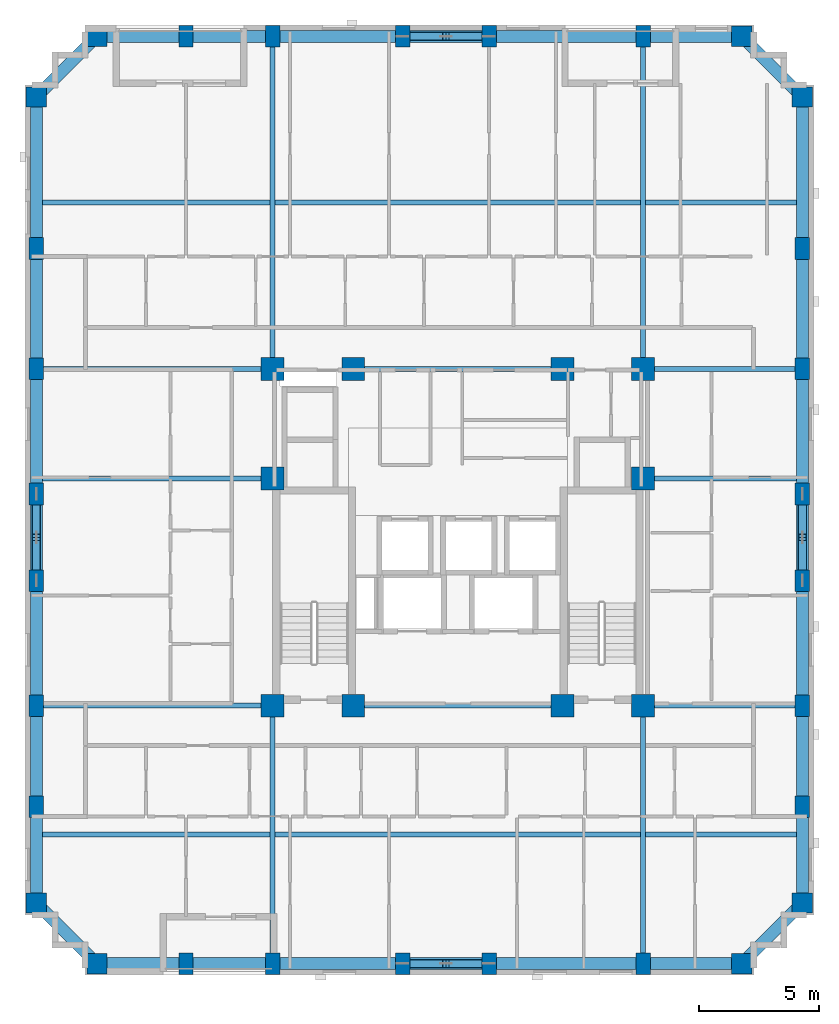
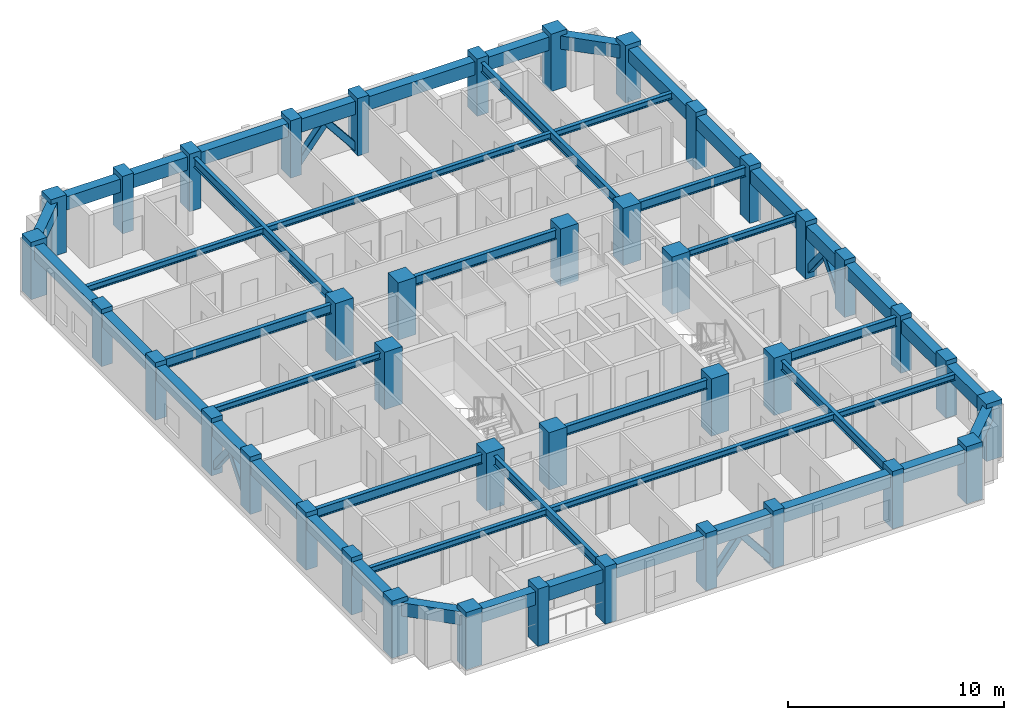
# One storey, part 1 of 11: 48 beams, 40 columns, 8 members.
"""IFC4 building model written with IfcOpenShell, lengths in metres."""

from ifc_helpers import new_model, si_unit, derived_unit, direction, frame, origin, origin_2d, place, context, subcontext, project, spatial, rectangle, hollow_rectangle, i_section, extrude, material, material_profile, profile_set, type_object, element, save


model = new_model("IFC4")

# Units and contexts
model_context = context("Model", 3, precision=1e-05, world=origin(), true_north=direction((0.0, 1.0)))
body_context = subcontext(model_context, "Body", "Model", "MODEL_VIEW")
ifc_project = project(units=[si_unit("LENGTHUNIT", "METRE"), si_unit("AREAUNIT", "SQUARE_METRE"), si_unit("VOLUMEUNIT", "CUBIC_METRE"), si_unit("PLANEANGLEUNIT", "RADIAN"), si_unit("MASSUNIT", "GRAM", prefix="KILO"), derived_unit("THERMALTRANSMITTANCEUNIT", [(si_unit("MASSUNIT", "GRAM", prefix="KILO"), 1), (si_unit("TIMEUNIT", "SECOND"), -3), (si_unit("THERMODYNAMICTEMPERATUREUNIT", "KELVIN"), -1)])], contexts=[model_context])

# Site, building, storey
site_placement = place(None, origin())
site = spatial("IfcSite", under=ifc_project, at=site_placement, CompositionType="ELEMENT")
building_placement = place(site_placement, origin())
building = spatial("IfcBuilding", under=site, at=building_placement, Name="Korrvale Station Residences", CompositionType="ELEMENT")
storey_placement = place(building_placement, frame((0.0, 0.0, 153.64990234375)))
storey = spatial("IfcBuildingStorey", under=building, at=storey_placement, Name="L44", CompositionType="ELEMENT", Elevation=153.64990234375)

# Columns
ifc_material_1 = material(Name="Concrete C60/75", Category="concrete")
ifc_material_profile_1 = material_profile(ifc_material_1, rectangle(XDim=0.60009765625, YDim=0.89990234375, at=origin_2d()), Name="RC600x900")
ifc_profile_set_1 = profile_set([ifc_material_profile_1], Name="Concrete C60/75")
column_type_1 = type_object("IfcColumnType", Name="COL-C-RC600x900-C6075", PredefinedType="COLUMN", material=ifc_profile_set_1)
for number, where, z_axis, x_axis, name in (
    (1, (14.199951171875, 4.280029296875, 0.0), (0.0, 0.0, 1.0), (1.0, 0.0, 0.0), "L44 Bundled-Tube South Column 02"),
    (2, (17.800048828125, 4.280029296875, 0.0), (0.0, 0.0, 1.0), (1.0, 0.0, 0.0), "L44 Bundled-Tube South Column 03"),
    (3, (23.199951171875, 4.280029296875, 0.0), (0.0, 0.0, 1.0), (1.0, 0.0, 0.0), "L44 Bundled-Tube South Column 04"),
    (4, (26.800048828125, 4.280029296875, 0.0), (0.0, 0.0, 1.0), (1.0, 0.0, 0.0), "L44 Bundled-Tube South Column 05"),
    (5, (33.199951171875, 4.280029296875, 0.0), (0.0, 0.0, 1.0), (1.0, 0.0, 0.0), "L44 Bundled-Tube South Column 06"),
    (6, (14.199951171875, 42.820068359375, 0.0), (0.0, 0.0, 1.0), (1.0, 0.0, 0.0), "L44 Bundled-Tube North Column 09"),
    (7, (17.800048828125, 42.820068359375, 0.0), (0.0, 0.0, 1.0), (1.0, 0.0, 0.0), "L44 Bundled-Tube North Column 10"),
    (8, (23.199951171875, 42.820068359375, 0.0), (0.0, 0.0, 1.0), (1.0, 0.0, 0.0), "L44 Bundled-Tube North Column 11"),
    (9, (26.800048828125, 42.820068359375, 0.0), (0.0, 0.0, 1.0), (1.0, 0.0, 0.0), "L44 Bundled-Tube North Column 12"),
    (10, (33.199951171875, 42.820068359375, 0.0), (0.0, 0.0, 1.0), (1.0, 0.0, 0.0), "L44 Bundled-Tube North Column 13"),
    (11, (7.97998046875, 10.800048828125, 0.0), (0.0, 0.0, 1.0), (1.0, 0.0, 0.0), "L44 Bundled-Tube West Column 16"),
    (12, (7.97998046875, 15.0, 0.0), (0.0, 0.0, 1.0), (1.0, 0.0, 0.0), "L44 Bundled-Tube West Column 17"),
    (13, (7.97998046875, 20.199951171875, 0.0), (0.0, 0.0, 1.0), (1.0, 0.0, 0.0), "L44 Bundled-Tube West Column 18"),
    (14, (7.97998046875, 23.800048828125, 0.0), (0.0, 0.0, 1.0), (1.0, 0.0, 0.0), "L44 Bundled-Tube West Column 19"),
    (15, (7.97998046875, 29.0, 0.0), (0.0, 0.0, 1.0), (1.0, 0.0, 0.0), "L44 Bundled-Tube West Column 20"),
    (16, (7.97998046875, 34.0, 0.0), (0.0, 0.0, 1.0), (1.0, 0.0, 0.0), "L44 Bundled-Tube West Column 21"),
    (17, (39.820068359375, 10.800048828125, 0.0), (0.0, 0.0, 1.0), (1.0, 0.0, 0.0), "L44 Bundled-Tube East Column 24"),
    (18, (39.820068359375, 15.0, 0.0), (0.0, 0.0, 1.0), (1.0, 0.0, 0.0), "L44 Bundled-Tube East Column 25"),
    (19, (39.820068359375, 20.199951171875, 0.0), (0.0, 0.0, 1.0), (1.0, 0.0, 0.0), "L44 Bundled-Tube East Column 26"),
    (20, (39.820068359375, 23.800048828125, 0.0), (0.0, 0.0, 1.0), (1.0, 0.0, 0.0), "L44 Bundled-Tube East Column 27"),
    (21, (39.820068359375, 29.0, 0.0), (0.0, 0.0, 1.0), (1.0, 0.0, 0.0), "L44 Bundled-Tube East Column 28"),
    (22, (39.820068359375, 34.0, 0.0), (0.0, 0.0, 1.0), (1.0, 0.0, 0.0), "L44 Bundled-Tube East Column 29"),
):
    element("IfcColumn", number, at=place(storey_placement, frame(where, z_axis=z_axis, x_axis=x_axis)), inside=storey, type_object=column_type_1, Name=name, PredefinedType="COLUMN", context=body_context, shape_type="SweptSolid", body=[
        extrude(rectangle(XDim=0.60009765625, YDim=0.89990234375, at=origin_2d()), origin(), (0.0, 0.0, 1.0), 3.25),
    ])
ifc_material_profile_2 = material_profile(ifc_material_1, rectangle(XDim=0.85009765625, YDim=0.85009765625, at=origin_2d()), Name="RC850x850")
ifc_profile_set_2 = profile_set([ifc_material_profile_2], Name="Concrete C60/75")
column_type_2 = type_object("IfcColumnType", Name="COL-C-RC850x850-C6075", PredefinedType="COLUMN", material=ifc_profile_set_2)
for number, where, z_axis, x_axis, name in (
    (23, (10.5, 4.280029296875, 0.0), (0.0, 0.0, 1.0), (1.0, 0.0, 0.0), "L44 Bundled-Tube South Column 01"),
    (24, (37.300048828125, 4.280029296875, 0.0), (0.0, 0.0, 1.0), (1.0, 0.0, 0.0), "L44 Bundled-Tube South Column 07"),
    (25, (10.5, 42.820068359375, 0.0), (0.0, 0.0, 1.0), (1.0, 0.0, 0.0), "L44 Bundled-Tube North Column 08"),
    (26, (37.300048828125, 42.820068359375, 0.0), (0.0, 0.0, 1.0), (1.0, 0.0, 0.0), "L44 Bundled-Tube North Column 14"),
    (27, (7.97998046875, 6.800048828125, 0.0), (0.0, 0.0, 1.0), (1.0, 0.0, 0.0), "L44 Bundled-Tube West Column 15"),
    (28, (7.97998046875, 40.300048828125, 0.0), (0.0, 0.0, 1.0), (1.0, 0.0, 0.0), "L44 Bundled-Tube West Column 22"),
    (29, (39.820068359375, 6.800048828125, 0.0), (0.0, 0.0, 1.0), (1.0, 0.0, 0.0), "L44 Bundled-Tube East Column 23"),
    (30, (39.820068359375, 40.300048828125, 0.0), (0.0, 0.0, 1.0), (1.0, 0.0, 0.0), "L44 Bundled-Tube East Column 30"),
):
    element("IfcColumn", number, at=place(storey_placement, frame(where, z_axis=z_axis, x_axis=x_axis)), inside=storey, type_object=column_type_2, Name=name, PredefinedType="COLUMN", context=body_context, shape_type="SweptSolid", body=[
        extrude(rectangle(XDim=0.85009765625, YDim=0.85009765625, at=origin_2d()), origin(), (0.0, 0.0, 1.0), 3.25),
    ])
ifc_material_profile_3 = material_profile(ifc_material_1, rectangle(XDim=0.949951171875, YDim=0.949951171875, at=origin_2d()), Name="RC950x950")
ifc_profile_set_3 = profile_set([ifc_material_profile_3], Name="Concrete C60/75")
column_type_3 = type_object("IfcColumnType", Name="COL-C-RC950x950-C6075", PredefinedType="COLUMN", material=ifc_profile_set_3)
for number, where, z_axis, x_axis, name in (
    (31, (17.800048828125, 15.0, 0.0), (0.0, 0.0, 1.0), (1.0, 0.0, 0.0), "L44 Core Column 01"),
    (32, (21.14990234375, 15.0, 0.0), (0.0, 0.0, 1.0), (1.0, 0.0, 0.0), "L44 Core Column 02"),
    (33, (29.85009765625, 15.0, 0.0), (0.0, 0.0, 1.0), (1.0, 0.0, 0.0), "L44 Core Column 03"),
    (34, (33.199951171875, 15.0, 0.0), (0.0, 0.0, 1.0), (1.0, 0.0, 0.0), "L44 Core Column 04"),
    (35, (17.800048828125, 29.0, 0.0), (0.0, 0.0, 1.0), (1.0, 0.0, 0.0), "L44 Core Column 05"),
    (36, (21.14990234375, 29.0, 0.0), (0.0, 0.0, 1.0), (1.0, 0.0, 0.0), "L44 Core Column 06"),
    (37, (29.85009765625, 29.0, 0.0), (0.0, 0.0, 1.0), (1.0, 0.0, 0.0), "L44 Core Column 07"),
    (38, (33.199951171875, 29.0, 0.0), (0.0, 0.0, 1.0), (1.0, 0.0, 0.0), "L44 Core Column 08"),
    (39, (17.800048828125, 24.449951171875, 0.0), (0.0, 0.0, 1.0), (1.0, 0.0, 0.0), "L44 Core Column 09"),
    (40, (33.199951171875, 24.449951171875, 0.0), (0.0, 0.0, 1.0), (1.0, 0.0, 0.0), "L44 Core Column 10"),
):
    element("IfcColumn", number, at=place(storey_placement, frame(where, z_axis=z_axis, x_axis=x_axis)), inside=storey, type_object=column_type_3, Name=name, PredefinedType="COLUMN", context=body_context, shape_type="SweptSolid", body=[
        extrude(rectangle(XDim=0.949951171875, YDim=0.949951171875, at=origin_2d()), origin(), (0.0, 0.0, 1.0), 3.25),
    ])

# Beams
ifc_material_2 = material(Name="Steel S355", Category="steel")
ifc_material_profile_4 = material_profile(ifc_material_2, i_section(OverallWidth=0.208984375, OverallDepth=0.532958984375, WebThickness=0.01025390625, FlangeThickness=0.015625, FilletRadius=0.01806640625, at=origin_2d()), Name="W530x92")
ifc_profile_set_4 = profile_set([ifc_material_profile_4], Name="Steel S355")
beam_type_1 = type_object("IfcBeamType", Name="BM-BM-W530x92-S355", PredefinedType="BEAM", material=ifc_profile_set_4)
for number, where, z_axis, x_axis, name in (
    (41, (17.800048828125, 4.280029296875, 2.7236328125), (0.0, 1.0, 0.0), (-1.0, 0.0, 0.0), "L44 Bundled-Tube Web Girder 01"),
    (42, (33.199951171875, 4.280029296875, 2.7236328125), (0.0, 1.0, 0.0), (-1.0, 0.0, 0.0), "L44 Bundled-Tube Web Girder 02"),
):
    element("IfcBeam", number, at=place(storey_placement, frame(where, z_axis=z_axis, x_axis=x_axis)), inside=storey, type_object=beam_type_1, Name=name, PredefinedType="BEAM", context=body_context, shape_type="SweptSolid", body=[
        extrude(i_section(OverallWidth=0.208984375, OverallDepth=0.532958984375, WebThickness=0.01025390625, FlangeThickness=0.015625, FilletRadius=0.01806640625, at=origin_2d()), origin(), (0.0, 0.0, 1.0), 10.719970703125),
    ])
for number, where, z_axis, x_axis, name in (
    (43, (17.800048828125, 29.0, 2.7236328125), (0.0, 1.0, 0.0), (-1.0, 0.0, 0.0), "L44 Bundled-Tube Web Girder 03"),
    (44, (33.199951171875, 29.0, 2.7236328125), (0.0, 1.0, 0.0), (-1.0, 0.0, 0.0), "L44 Bundled-Tube Web Girder 04"),
):
    element("IfcBeam", number, at=place(storey_placement, frame(where, z_axis=z_axis, x_axis=x_axis)), inside=storey, type_object=beam_type_1, Name=name, PredefinedType="BEAM", context=body_context, shape_type="SweptSolid", body=[
        extrude(i_section(OverallWidth=0.208984375, OverallDepth=0.532958984375, WebThickness=0.01025390625, FlangeThickness=0.015625, FilletRadius=0.01806640625, at=origin_2d()), origin(), (0.0, 0.0, 1.0), 13.820068359375),
    ])
beam_1_placement = place(storey_placement, frame((7.97998046875, 15.0, 2.7236328125), z_axis=(1.0, 0.0, 0.0), x_axis=(0.0, 1.0, 0.0)))
element("IfcBeam", 45, at=beam_1_placement, inside=storey, type_object=beam_type_1, Name="L44 Bundled-Tube Web Girder 05", PredefinedType="BEAM", context=body_context, shape_type="SweptSolid", body=[
    extrude(i_section(OverallWidth=0.208984375, OverallDepth=0.532958984375, WebThickness=0.01025390625, FlangeThickness=0.015625, FilletRadius=0.01806640625, at=origin_2d()), origin(), (0.0, 0.0, 1.0), 9.820068359375),
])
beam_2_placement = place(storey_placement, frame((33.199951171875, 15.0, 2.7236328125), z_axis=(1.0, 0.0, 0.0), x_axis=(0.0, 1.0, 0.0)))
element("IfcBeam", 46, at=beam_2_placement, inside=storey, type_object=beam_type_1, Name="L44 Bundled-Tube Web Girder 06", PredefinedType="BEAM", context=body_context, shape_type="SweptSolid", body=[
    extrude(i_section(OverallWidth=0.208984375, OverallDepth=0.532958984375, WebThickness=0.01025390625, FlangeThickness=0.015625, FilletRadius=0.01806640625, at=origin_2d()), origin(), (0.0, 0.0, 1.0), 6.6201171875),
])
beam_3_placement = place(storey_placement, frame((7.97998046875, 29.0, 2.7236328125), z_axis=(1.0, 0.0, 0.0), x_axis=(0.0, 1.0, 0.0)))
element("IfcBeam", 47, at=beam_3_placement, inside=storey, type_object=beam_type_1, Name="L44 Bundled-Tube Web Girder 07", PredefinedType="BEAM", context=body_context, shape_type="SweptSolid", body=[
    extrude(i_section(OverallWidth=0.208984375, OverallDepth=0.532958984375, WebThickness=0.01025390625, FlangeThickness=0.015625, FilletRadius=0.01806640625, at=origin_2d()), origin(), (0.0, 0.0, 1.0), 9.820068359375),
])
beam_4_placement = place(storey_placement, frame((33.199951171875, 29.0, 2.7236328125), z_axis=(1.0, 0.0, 0.0), x_axis=(0.0, 1.0, 0.0)))
element("IfcBeam", 48, at=beam_4_placement, inside=storey, type_object=beam_type_1, Name="L44 Bundled-Tube Web Girder 08", PredefinedType="BEAM", context=body_context, shape_type="SweptSolid", body=[
    extrude(i_section(OverallWidth=0.208984375, OverallDepth=0.532958984375, WebThickness=0.01025390625, FlangeThickness=0.015625, FilletRadius=0.01806640625, at=origin_2d()), origin(), (0.0, 0.0, 1.0), 6.6201171875),
])
for number, where, z_axis, x_axis, name in (
    (49, (21.14990234375, 15.0, 2.7236328125), (1.0, 0.0, 0.0), (0.0, 1.0, 0.0), "L44 Bundled-Tube Web Girder 09"),
    (50, (21.14990234375, 29.0, 2.7236328125), (1.0, 0.0, 0.0), (0.0, 1.0, 0.0), "L44 Bundled-Tube Web Girder 10"),
):
    element("IfcBeam", number, at=place(storey_placement, frame(where, z_axis=z_axis, x_axis=x_axis)), inside=storey, type_object=beam_type_1, Name=name, PredefinedType="BEAM", context=body_context, shape_type="SweptSolid", body=[
        extrude(i_section(OverallWidth=0.208984375, OverallDepth=0.532958984375, WebThickness=0.01025390625, FlangeThickness=0.015625, FilletRadius=0.01806640625, at=origin_2d()), origin(), (0.0, 0.0, 1.0), 8.7001953125),
    ])
ifc_material_profile_5 = material_profile(ifc_material_2, i_section(OverallWidth=0.205078125, OverallDepth=0.35400390625, WebThickness=0.009521484375, FlangeThickness=0.016845703125, FilletRadius=0.014892578125, at=origin_2d()), Name="W360x79")
ifc_profile_set_5 = profile_set([ifc_material_profile_5], Name="Steel S355")
beam_type_2 = type_object("IfcBeamType", Name="BM-JST-W360x79-S355", PredefinedType="JOIST", material=ifc_profile_set_5)
beam_5_placement = place(storey_placement, frame((8.22998046875, 9.639892578125, 2.81298828125), z_axis=(1.0, 0.0, 0.0), x_axis=(0.0, 1.0, 0.0)))
element("IfcBeam", 51, at=beam_5_placement, inside=storey, type_object=beam_type_2, Name="L44 Floor Framing Joist 01", PredefinedType="JOIST", context=body_context, shape_type="SweptSolid", body=[
    extrude(i_section(OverallWidth=0.205078125, OverallDepth=0.35400390625, WebThickness=0.009521484375, FlangeThickness=0.016845703125, FilletRadius=0.014892578125, at=origin_2d()), origin(), (0.0, 0.0, 1.0), 9.465576171875),
])
beam_6_placement = place(storey_placement, frame((17.904541015625, 9.639892578125, 2.81298828125), z_axis=(1.0, 0.0, 0.0), x_axis=(0.0, 1.0, 0.0)))
element("IfcBeam", 52, at=beam_6_placement, inside=storey, type_object=beam_type_2, Name="L44 Floor Framing Joist 02", PredefinedType="JOIST", context=body_context, shape_type="SweptSolid", body=[
    extrude(i_section(OverallWidth=0.205078125, OverallDepth=0.35400390625, WebThickness=0.009521484375, FlangeThickness=0.016845703125, FilletRadius=0.014892578125, at=origin_2d()), origin(), (0.0, 0.0, 1.0), 15.19091796875),
])
beam_7_placement = place(storey_placement, frame((33.304443359375, 9.639892578125, 2.81298828125), z_axis=(1.0, 0.0, 0.0), x_axis=(0.0, 1.0, 0.0)))
element("IfcBeam", 53, at=beam_7_placement, inside=storey, type_object=beam_type_2, Name="L44 Floor Framing Joist 03", PredefinedType="JOIST", context=body_context, shape_type="SweptSolid", body=[
    extrude(i_section(OverallWidth=0.205078125, OverallDepth=0.35400390625, WebThickness=0.009521484375, FlangeThickness=0.016845703125, FilletRadius=0.014892578125, at=origin_2d()), origin(), (0.0, 0.0, 1.0), 6.265625),
])
beam_8_placement = place(storey_placement, frame((8.22998046875, 35.909912109375, 2.81298828125), z_axis=(1.0, 0.0, 0.0), x_axis=(0.0, 1.0, 0.0)))
element("IfcBeam", 54, at=beam_8_placement, inside=storey, type_object=beam_type_2, Name="L44 Floor Framing Joist 04", PredefinedType="JOIST", context=body_context, shape_type="SweptSolid", body=[
    extrude(i_section(OverallWidth=0.205078125, OverallDepth=0.35400390625, WebThickness=0.009521484375, FlangeThickness=0.016845703125, FilletRadius=0.014892578125, at=origin_2d()), origin(), (0.0, 0.0, 1.0), 9.465576171875),
])
beam_9_placement = place(storey_placement, frame((17.904541015625, 35.909912109375, 2.81298828125), z_axis=(1.0, 0.0, 0.0), x_axis=(0.0, 1.0, 0.0)))
element("IfcBeam", 55, at=beam_9_placement, inside=storey, type_object=beam_type_2, Name="L44 Floor Framing Joist 05", PredefinedType="JOIST", context=body_context, shape_type="SweptSolid", body=[
    extrude(i_section(OverallWidth=0.205078125, OverallDepth=0.35400390625, WebThickness=0.009521484375, FlangeThickness=0.016845703125, FilletRadius=0.014892578125, at=origin_2d()), origin(), (0.0, 0.0, 1.0), 15.19091796875),
])
beam_10_placement = place(storey_placement, frame((33.304443359375, 35.909912109375, 2.81298828125), z_axis=(1.0, 0.0, 0.0), x_axis=(0.0, 1.0, 0.0)))
element("IfcBeam", 56, at=beam_10_placement, inside=storey, type_object=beam_type_2, Name="L44 Floor Framing Joist 06", PredefinedType="JOIST", context=body_context, shape_type="SweptSolid", body=[
    extrude(i_section(OverallWidth=0.205078125, OverallDepth=0.35400390625, WebThickness=0.009521484375, FlangeThickness=0.016845703125, FilletRadius=0.014892578125, at=origin_2d()), origin(), (0.0, 0.0, 1.0), 6.265625),
])
beam_11_placement = place(storey_placement, frame((33.199951171875, 24.449951171875, 2.81298828125), z_axis=(1.0, 0.0, 0.0), x_axis=(0.0, 1.0, 0.0)))
element("IfcBeam", 57, at=beam_11_placement, inside=storey, type_object=beam_type_2, Name="L44 Floor Framing Joist 07", PredefinedType="JOIST", context=body_context, shape_type="SweptSolid", body=[
    extrude(i_section(OverallWidth=0.205078125, OverallDepth=0.35400390625, WebThickness=0.009521484375, FlangeThickness=0.016845703125, FilletRadius=0.014892578125, at=origin_2d()), origin(), (0.0, 0.0, 1.0), 6.3701171875),
])
beam_12_placement = place(storey_placement, frame((8.22998046875, 24.449951171875, 2.81298828125), z_axis=(1.0, 0.0, 0.0), x_axis=(0.0, 1.0, 0.0)))
element("IfcBeam", 58, at=beam_12_placement, inside=storey, type_object=beam_type_2, Name="L44 Floor Framing Joist 08", PredefinedType="JOIST", context=body_context, shape_type="SweptSolid", body=[
    extrude(i_section(OverallWidth=0.205078125, OverallDepth=0.35400390625, WebThickness=0.009521484375, FlangeThickness=0.016845703125, FilletRadius=0.014892578125, at=origin_2d()), origin(), (0.0, 0.0, 1.0), 9.570068359375),
])
ifc_material_profile_6 = material_profile(ifc_material_1, rectangle(XDim=0.5, YDim=0.75, at=origin_2d()), Name="RCB500x750")
ifc_profile_set_6 = profile_set([ifc_material_profile_6], Name="Concrete C60/75")
beam_type_3 = type_object("IfcBeamType", Name="BM-SPB-RCB500x750-C6075", PredefinedType="SPANDREL", material=ifc_profile_set_6)
beam_13_placement = place(storey_placement, frame((10.5, 4.280029296875, 2.614990234375), z_axis=(1.0, 0.0, 0.0), x_axis=(0.0, 1.0, 0.0)))
element("IfcBeam", 59, at=beam_13_placement, inside=storey, type_object=beam_type_3, Name="L44 South Tube Spandrel 01", PredefinedType="SPANDREL", context=body_context, shape_type="SweptSolid", body=[
    extrude(rectangle(XDim=0.5, YDim=0.75, at=origin_2d()), origin(), (0.0, 0.0, 1.0), 3.699951171875),
])
beam_14_placement = place(storey_placement, frame((14.199951171875, 4.280029296875, 2.614990234375), z_axis=(1.0, 0.0, 0.0), x_axis=(0.0, 1.0, 0.0)))
element("IfcBeam", 60, at=beam_14_placement, inside=storey, type_object=beam_type_3, Name="L44 South Tube Spandrel 02", PredefinedType="SPANDREL", context=body_context, shape_type="SweptSolid", body=[
    extrude(rectangle(XDim=0.5, YDim=0.75, at=origin_2d()), origin(), (0.0, 0.0, 1.0), 3.60009765625),
])
beam_15_placement = place(storey_placement, frame((17.800048828125, 4.280029296875, 2.614990234375), z_axis=(1.0, 0.0, 0.0), x_axis=(0.0, 1.0, 0.0)))
element("IfcBeam", 61, at=beam_15_placement, inside=storey, type_object=beam_type_3, Name="L44 South Tube Spandrel 03", PredefinedType="SPANDREL", context=body_context, shape_type="SweptSolid", body=[
    extrude(rectangle(XDim=0.5, YDim=0.75, at=origin_2d()), origin(), (0.0, 0.0, 1.0), 5.39990234375),
])
beam_16_placement = place(storey_placement, frame((23.199951171875, 4.280029296875, 2.614990234375), z_axis=(1.0, 0.0, 0.0), x_axis=(0.0, 1.0, 0.0)))
element("IfcBeam", 62, at=beam_16_placement, inside=storey, type_object=beam_type_3, Name="L44 South Tube Spandrel 04", PredefinedType="SPANDREL", context=body_context, shape_type="SweptSolid", body=[
    extrude(rectangle(XDim=0.5, YDim=0.75, at=origin_2d()), origin(), (0.0, 0.0, 1.0), 3.60009765625),
])
beam_17_placement = place(storey_placement, frame((26.800048828125, 4.280029296875, 2.614990234375), z_axis=(1.0, 0.0, 0.0), x_axis=(0.0, 1.0, 0.0)))
element("IfcBeam", 63, at=beam_17_placement, inside=storey, type_object=beam_type_3, Name="L44 South Tube Spandrel 05", PredefinedType="SPANDREL", context=body_context, shape_type="SweptSolid", body=[
    extrude(rectangle(XDim=0.5, YDim=0.75, at=origin_2d()), origin(), (0.0, 0.0, 1.0), 6.39990234375),
])
beam_18_placement = place(storey_placement, frame((33.199951171875, 4.280029296875, 2.614990234375), z_axis=(1.0, 0.0, 0.0), x_axis=(0.0, 1.0, 0.0)))
element("IfcBeam", 64, at=beam_18_placement, inside=storey, type_object=beam_type_3, Name="L44 South Tube Spandrel 06", PredefinedType="SPANDREL", context=body_context, shape_type="SweptSolid", body=[
    extrude(rectangle(XDim=0.5, YDim=0.75, at=origin_2d()), origin(), (0.0, 0.0, 1.0), 4.10009765625),
])
beam_19_placement = place(storey_placement, frame((10.5, 42.820068359375, 2.614990234375), z_axis=(1.0, 0.0, 0.0), x_axis=(0.0, 1.0, 0.0)))
element("IfcBeam", 65, at=beam_19_placement, inside=storey, type_object=beam_type_3, Name="L44 North Tube Spandrel 07", PredefinedType="SPANDREL", context=body_context, shape_type="SweptSolid", body=[
    extrude(rectangle(XDim=0.5, YDim=0.75, at=origin_2d()), origin(), (0.0, 0.0, 1.0), 3.699951171875),
])
beam_20_placement = place(storey_placement, frame((14.199951171875, 42.820068359375, 2.614990234375), z_axis=(1.0, 0.0, 0.0), x_axis=(0.0, 1.0, 0.0)))
element("IfcBeam", 66, at=beam_20_placement, inside=storey, type_object=beam_type_3, Name="L44 North Tube Spandrel 08", PredefinedType="SPANDREL", context=body_context, shape_type="SweptSolid", body=[
    extrude(rectangle(XDim=0.5, YDim=0.75, at=origin_2d()), origin(), (0.0, 0.0, 1.0), 3.60009765625),
])
beam_21_placement = place(storey_placement, frame((17.800048828125, 42.820068359375, 2.614990234375), z_axis=(1.0, 0.0, 0.0), x_axis=(0.0, 1.0, 0.0)))
element("IfcBeam", 67, at=beam_21_placement, inside=storey, type_object=beam_type_3, Name="L44 North Tube Spandrel 09", PredefinedType="SPANDREL", context=body_context, shape_type="SweptSolid", body=[
    extrude(rectangle(XDim=0.5, YDim=0.75, at=origin_2d()), origin(), (0.0, 0.0, 1.0), 5.39990234375),
])
beam_22_placement = place(storey_placement, frame((23.199951171875, 42.820068359375, 2.614990234375), z_axis=(1.0, 0.0, 0.0), x_axis=(0.0, 1.0, 0.0)))
element("IfcBeam", 68, at=beam_22_placement, inside=storey, type_object=beam_type_3, Name="L44 North Tube Spandrel 10", PredefinedType="SPANDREL", context=body_context, shape_type="SweptSolid", body=[
    extrude(rectangle(XDim=0.5, YDim=0.75, at=origin_2d()), origin(), (0.0, 0.0, 1.0), 3.60009765625),
])
beam_23_placement = place(storey_placement, frame((26.800048828125, 42.820068359375, 2.614990234375), z_axis=(1.0, 0.0, 0.0), x_axis=(0.0, 1.0, 0.0)))
element("IfcBeam", 69, at=beam_23_placement, inside=storey, type_object=beam_type_3, Name="L44 North Tube Spandrel 11", PredefinedType="SPANDREL", context=body_context, shape_type="SweptSolid", body=[
    extrude(rectangle(XDim=0.5, YDim=0.75, at=origin_2d()), origin(), (0.0, 0.0, 1.0), 6.39990234375),
])
beam_24_placement = place(storey_placement, frame((33.199951171875, 42.820068359375, 2.614990234375), z_axis=(1.0, 0.0, 0.0), x_axis=(0.0, 1.0, 0.0)))
element("IfcBeam", 70, at=beam_24_placement, inside=storey, type_object=beam_type_3, Name="L44 North Tube Spandrel 12", PredefinedType="SPANDREL", context=body_context, shape_type="SweptSolid", body=[
    extrude(rectangle(XDim=0.5, YDim=0.75, at=origin_2d()), origin(), (0.0, 0.0, 1.0), 4.10009765625),
])
beam_25_placement = place(storey_placement, frame((7.97998046875, 6.800048828125, 2.614990234375), z_axis=(0.0, 1.0, 0.0), x_axis=(-1.0, 0.0, 0.0)))
element("IfcBeam", 71, at=beam_25_placement, inside=storey, type_object=beam_type_3, Name="L44 West Tube Spandrel 13", PredefinedType="SPANDREL", context=body_context, shape_type="SweptSolid", body=[
    extrude(rectangle(XDim=0.5, YDim=0.75, at=origin_2d()), origin(), (0.0, 0.0, 1.0), 4.0),
])
beam_26_placement = place(storey_placement, frame((7.97998046875, 10.800048828125, 2.614990234375), z_axis=(0.0, 1.0, 0.0), x_axis=(-1.0, 0.0, 0.0)))
element("IfcBeam", 72, at=beam_26_placement, inside=storey, type_object=beam_type_3, Name="L44 West Tube Spandrel 14", PredefinedType="SPANDREL", context=body_context, shape_type="SweptSolid", body=[
    extrude(rectangle(XDim=0.5, YDim=0.75, at=origin_2d()), origin(), (0.0, 0.0, 1.0), 4.199951171875),
])
beam_27_placement = place(storey_placement, frame((7.97998046875, 15.0, 2.614990234375), z_axis=(0.0, 1.0, 0.0), x_axis=(-1.0, 0.0, 0.0)))
element("IfcBeam", 73, at=beam_27_placement, inside=storey, type_object=beam_type_3, Name="L44 West Tube Spandrel 15", PredefinedType="SPANDREL", context=body_context, shape_type="SweptSolid", body=[
    extrude(rectangle(XDim=0.5, YDim=0.75, at=origin_2d()), origin(), (0.0, 0.0, 1.0), 5.199951171875),
])
beam_28_placement = place(storey_placement, frame((7.97998046875, 20.199951171875, 2.614990234375), z_axis=(0.0, 1.0, 0.0), x_axis=(-1.0, 0.0, 0.0)))
element("IfcBeam", 74, at=beam_28_placement, inside=storey, type_object=beam_type_3, Name="L44 West Tube Spandrel 16", PredefinedType="SPANDREL", context=body_context, shape_type="SweptSolid", body=[
    extrude(rectangle(XDim=0.5, YDim=0.75, at=origin_2d()), origin(), (0.0, 0.0, 1.0), 3.60009765625),
])
beam_29_placement = place(storey_placement, frame((7.97998046875, 23.800048828125, 2.614990234375), z_axis=(0.0, 1.0, 0.0), x_axis=(-1.0, 0.0, 0.0)))
element("IfcBeam", 75, at=beam_29_placement, inside=storey, type_object=beam_type_3, Name="L44 West Tube Spandrel 17", PredefinedType="SPANDREL", context=body_context, shape_type="SweptSolid", body=[
    extrude(rectangle(XDim=0.5, YDim=0.75, at=origin_2d()), origin(), (0.0, 0.0, 1.0), 5.199951171875),
])
beam_30_placement = place(storey_placement, frame((7.97998046875, 29.0, 2.614990234375), z_axis=(0.0, 1.0, 0.0), x_axis=(-1.0, 0.0, 0.0)))
element("IfcBeam", 76, at=beam_30_placement, inside=storey, type_object=beam_type_3, Name="L44 West Tube Spandrel 18", PredefinedType="SPANDREL", context=body_context, shape_type="SweptSolid", body=[
    extrude(rectangle(XDim=0.5, YDim=0.75, at=origin_2d()), origin(), (0.0, 0.0, 1.0), 5.0),
])
beam_31_placement = place(storey_placement, frame((7.97998046875, 34.0, 2.614990234375), z_axis=(0.0, 1.0, 0.0), x_axis=(-1.0, 0.0, 0.0)))
element("IfcBeam", 77, at=beam_31_placement, inside=storey, type_object=beam_type_3, Name="L44 West Tube Spandrel 19", PredefinedType="SPANDREL", context=body_context, shape_type="SweptSolid", body=[
    extrude(rectangle(XDim=0.5, YDim=0.75, at=origin_2d()), origin(), (0.0, 0.0, 1.0), 6.300048828125),
])
beam_32_placement = place(storey_placement, frame((39.820068359375, 6.800048828125, 2.614990234375), z_axis=(0.0, 1.0, 0.0), x_axis=(-1.0, 0.0, 0.0)))
element("IfcBeam", 78, at=beam_32_placement, inside=storey, type_object=beam_type_3, Name="L44 East Tube Spandrel 20", PredefinedType="SPANDREL", context=body_context, shape_type="SweptSolid", body=[
    extrude(rectangle(XDim=0.5, YDim=0.75, at=origin_2d()), origin(), (0.0, 0.0, 1.0), 4.0),
])
beam_33_placement = place(storey_placement, frame((39.820068359375, 10.800048828125, 2.614990234375), z_axis=(0.0, 1.0, 0.0), x_axis=(-1.0, 0.0, 0.0)))
element("IfcBeam", 79, at=beam_33_placement, inside=storey, type_object=beam_type_3, Name="L44 East Tube Spandrel 21", PredefinedType="SPANDREL", context=body_context, shape_type="SweptSolid", body=[
    extrude(rectangle(XDim=0.5, YDim=0.75, at=origin_2d()), origin(), (0.0, 0.0, 1.0), 4.199951171875),
])
beam_34_placement = place(storey_placement, frame((39.820068359375, 15.0, 2.614990234375), z_axis=(0.0, 1.0, 0.0), x_axis=(-1.0, 0.0, 0.0)))
element("IfcBeam", 80, at=beam_34_placement, inside=storey, type_object=beam_type_3, Name="L44 East Tube Spandrel 22", PredefinedType="SPANDREL", context=body_context, shape_type="SweptSolid", body=[
    extrude(rectangle(XDim=0.5, YDim=0.75, at=origin_2d()), origin(), (0.0, 0.0, 1.0), 5.199951171875),
])
beam_35_placement = place(storey_placement, frame((39.820068359375, 20.199951171875, 2.614990234375), z_axis=(0.0, 1.0, 0.0), x_axis=(-1.0, 0.0, 0.0)))
element("IfcBeam", 81, at=beam_35_placement, inside=storey, type_object=beam_type_3, Name="L44 East Tube Spandrel 23", PredefinedType="SPANDREL", context=body_context, shape_type="SweptSolid", body=[
    extrude(rectangle(XDim=0.5, YDim=0.75, at=origin_2d()), origin(), (0.0, 0.0, 1.0), 3.60009765625),
])
beam_36_placement = place(storey_placement, frame((39.820068359375, 23.800048828125, 2.614990234375), z_axis=(0.0, 1.0, 0.0), x_axis=(-1.0, 0.0, 0.0)))
element("IfcBeam", 82, at=beam_36_placement, inside=storey, type_object=beam_type_3, Name="L44 East Tube Spandrel 24", PredefinedType="SPANDREL", context=body_context, shape_type="SweptSolid", body=[
    extrude(rectangle(XDim=0.5, YDim=0.75, at=origin_2d()), origin(), (0.0, 0.0, 1.0), 5.199951171875),
])
beam_37_placement = place(storey_placement, frame((39.820068359375, 29.0, 2.614990234375), z_axis=(0.0, 1.0, 0.0), x_axis=(-1.0, 0.0, 0.0)))
element("IfcBeam", 83, at=beam_37_placement, inside=storey, type_object=beam_type_3, Name="L44 East Tube Spandrel 25", PredefinedType="SPANDREL", context=body_context, shape_type="SweptSolid", body=[
    extrude(rectangle(XDim=0.5, YDim=0.75, at=origin_2d()), origin(), (0.0, 0.0, 1.0), 5.0),
])
beam_38_placement = place(storey_placement, frame((39.820068359375, 34.0, 2.614990234375), z_axis=(0.0, 1.0, 0.0), x_axis=(-1.0, 0.0, 0.0)))
element("IfcBeam", 84, at=beam_38_placement, inside=storey, type_object=beam_type_3, Name="L44 East Tube Spandrel 26", PredefinedType="SPANDREL", context=body_context, shape_type="SweptSolid", body=[
    extrude(rectangle(XDim=0.5, YDim=0.75, at=origin_2d()), origin(), (0.0, 0.0, 1.0), 6.300048828125),
])
for number, where, z_axis, x_axis, name in (
    (85, (10.5, 4.280029296875, 2.614990234375), (-0.707106781187, 0.707106781187, 0.0), (-0.707106781187, -0.707106781187, 0.0), "L44 Serrated Corner Spandrel 27"),
    (86, (37.300048828125, 4.280029296875, 2.614990234375), (0.707106781187, 0.707106781187, 0.0), (-0.707106781187, 0.707106781187, 0.0), "L44 Serrated Corner Spandrel 28"),
    (87, (37.300048828125, 42.820068359375, 2.614990234375), (0.707106781187, -0.707106781187, 0.0), (0.707106781187, 0.707106781187, 0.0), "L44 Serrated Corner Spandrel 29"),
    (88, (10.5, 42.820068359375, 2.614990234375), (-0.707106781187, -0.707106781187, 0.0), (0.707106781187, -0.707106781187, 0.0), "L44 Serrated Corner Spandrel 30"),
):
    element("IfcBeam", number, at=place(storey_placement, frame(where, z_axis=z_axis, x_axis=x_axis)), inside=storey, type_object=beam_type_3, Name=name, PredefinedType="SPANDREL", context=body_context, shape_type="SweptSolid", body=[
        extrude(rectangle(XDim=0.5, YDim=0.75, at=origin_2d()), origin(), (0.0, 0.0, 1.0), 3.56396484375),
    ])

# Members
ifc_material_profile_7 = material_profile(ifc_material_2, hollow_rectangle(XDim=0.355712890625, YDim=0.355712890625, WallThickness=0.015869140625, InnerFilletRadius=0.015869140625, OuterFilletRadius=0.03173828125, at=origin_2d()), Name="HSS356x356x16")
ifc_profile_set_7 = profile_set([ifc_material_profile_7], Name="Steel S355")
member_type = type_object("IfcMemberType", Name="MBR-BR-HSS356x356x16", PredefinedType="BRACE", material=ifc_profile_set_7)
for number, where, z_axis, x_axis, name in (
    (89, (23.199951171875, 4.280029296875, 0.02001953125), (0.62640309239, 0.0, 0.779499304582), (0.0, 1.0, 0.0), "L44 S Perimeter Tube Wind Brace 1"),
    (90, (26.800048828125, 4.280029296875, 0.02001953125), (-0.62640309239, 0.0, 0.779499304582), (0.0, -1.0, 0.0), "L44 S Perimeter Tube Wind Brace 2"),
    (91, (23.199951171875, 42.820068359375, 0.02001953125), (0.62640309239, 0.0, 0.779499304582), (0.0, 1.0, 0.0), "L44 N Perimeter Tube Wind Brace 1"),
    (92, (26.800048828125, 42.820068359375, 0.02001953125), (-0.62640309239, 0.0, 0.779499304582), (0.0, -1.0, 0.0), "L44 N Perimeter Tube Wind Brace 2"),
    (93, (7.97998046875, 20.199951171875, 0.02001953125), (0.0, 0.62640309239, 0.779499304582), (-1.0, 0.0, 0.0), "L44 W Perimeter Tube Wind Brace 1"),
    (94, (7.97998046875, 23.800048828125, 0.02001953125), (0.0, -0.62640309239, 0.779499304582), (1.0, 0.0, 0.0), "L44 W Perimeter Tube Wind Brace 2"),
    (95, (39.820068359375, 20.199951171875, 0.02001953125), (0.0, 0.62640309239, 0.779499304582), (-1.0, 0.0, 0.0), "L44 E Perimeter Tube Wind Brace 1"),
    (96, (39.820068359375, 23.800048828125, 0.02001953125), (0.0, -0.62640309239, 0.779499304582), (1.0, 0.0, 0.0), "L44 E Perimeter Tube Wind Brace 2"),
):
    element("IfcMember", number, at=place(storey_placement, frame(where, z_axis=z_axis, x_axis=x_axis)), inside=storey, type_object=member_type, Name=name, PredefinedType="BRACE", context=body_context, shape_type="SweptSolid", body=[
        extrude(hollow_rectangle(XDim=0.355712890625, YDim=0.355712890625, WallThickness=0.015869140625, InnerFilletRadius=0.015869140625, OuterFilletRadius=0.03173828125, at=origin_2d()), origin(), (0.0, 0.0, 1.0), 2.87353515625),
    ])

save(model, "model.ifc")
